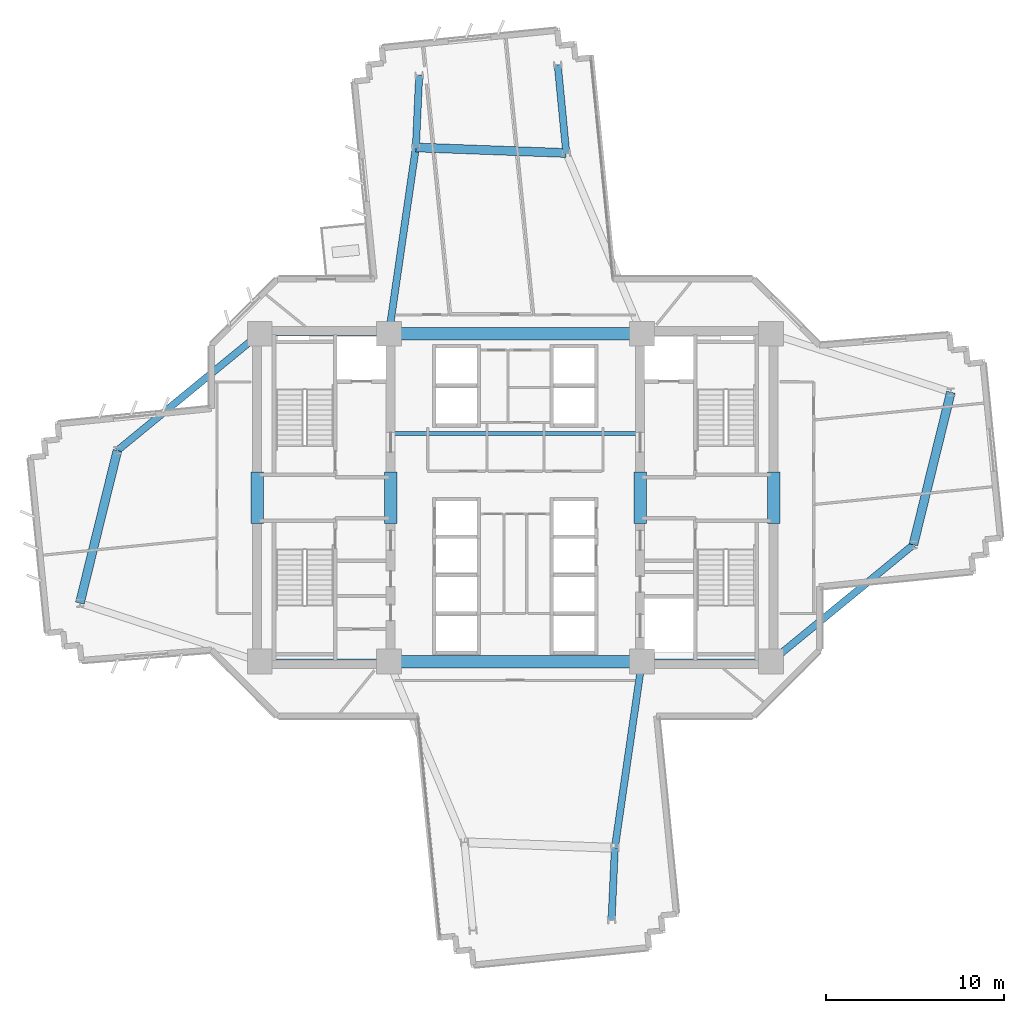
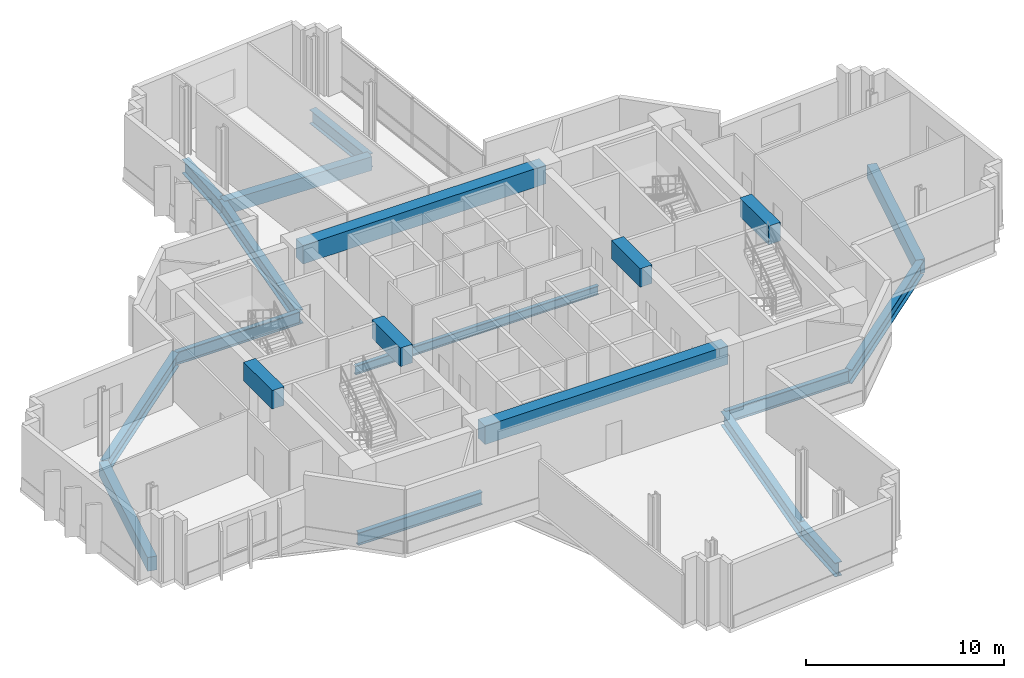
# One storey, part 3 of 14: 20 beams.
"""IFC4 building model written with IfcOpenShell, lengths in metres."""

from ifc_helpers import new_model, si_unit, direction, frame, origin, origin_2d, place, context, subcontext, project, spatial, rectangle, i_section, extrude, source, transform, mapped, material, material_profile, profile_set, type_object, element, save


model = new_model("IFC4")

# Units and contexts
model_context = context("Model", 3, precision=1e-05, world=origin(), true_north=direction((0.0, 1.0)))
body_context = subcontext(model_context, "Body", "Model", "MODEL_VIEW")
ifc_project = project(units=[si_unit("LENGTHUNIT", "METRE"), si_unit("AREAUNIT", "SQUARE_METRE"), si_unit("VOLUMEUNIT", "CUBIC_METRE"), si_unit("PLANEANGLEUNIT", "RADIAN"), si_unit("MASSUNIT", "GRAM", prefix="KILO")], contexts=[model_context])

# Site, building, storey
site_placement = place(None, origin())
site = spatial("IfcSite", under=ifc_project, at=site_placement, CompositionType="ELEMENT")
building_placement = place(site_placement, origin())
building = spatial("IfcBuilding", under=site, at=building_placement, Name="Zahravan Cultural Tower", CompositionType="ELEMENT")
storey_placement = place(building_placement, frame((0.0, 0.0, 92.10009765625)))
storey = spatial("IfcBuildingStorey", under=building, at=storey_placement, Name="L20", CompositionType="ELEMENT", Elevation=92.10009765625)

# Beams
ifc_material_1 = material(Name="Concrete C50/60", Category="concrete")
ifc_material_profile_1 = material_profile(ifc_material_1, rectangle(XDim=0.699951171875, YDim=1.14990234375, at=origin_2d()), Name="RC700X1150")
ifc_profile_set_1 = profile_set([ifc_material_profile_1], Name="Concrete C50/60")
beam_type_1 = type_object("IfcBeamType", Name="BM-LN-RC700X1150", PredefinedType="LINTEL", material=ifc_profile_set_1)
shared_shape_1 = source(origin(), body_context, "Body", "SweptSolid", [
    extrude(rectangle(XDim=0.699951171875, YDim=1.14990234375, at=origin_2d()), origin(), (0.0, 0.0, 1.0), 14.2001953125),
])
for number, where, z_axis, x_axis, name in (
    (1, (28.89990234375, 17.800048828125, 3.375), (1.0, 0.0, 0.0), (0.0, 1.0, 0.0), "L20 Beam LN-L20-S"),
    (2, (28.89990234375, 36.199951171875, 3.375), (1.0, 0.0, 0.0), (0.0, 1.0, 0.0), "L20 Beam LN-L20-N"),
):
    element("IfcBeam", number, at=place(storey_placement, frame(where, z_axis=z_axis, x_axis=x_axis)), inside=storey, type_object=beam_type_1, Name=name, PredefinedType="LINTEL", context=body_context, shape_type="MappedRepresentation", body=[
        mapped(shared_shape_1, transform((0.0, 0.0, 0.0), x_axis=(1.0, 0.0, 0.0), y_axis=(0.0, 1.0, 0.0), z_axis=(0.0, 0.0, 1.0), scale=1.0)),
    ])
shared_shape_2 = source(origin(), body_context, "Body", "SweptSolid", [
    extrude(rectangle(XDim=0.699951171875, YDim=1.14990234375, at=origin_2d()), origin(), (0.0, 0.0, 1.0), 2.89990234375),
])
for number, where, z_axis, x_axis, name in (
    (3, (21.5, 25.550048828125, 3.375), (0.0, 1.0, 0.0), (-1.0, 0.0, 0.0), "L20 Beam LN-L20-PWW"),
    (4, (29.0, 25.550048828125, 3.375), (0.0, 1.0, 0.0), (-1.0, 0.0, 0.0), "L20 Beam LN-L20-PWE"),
    (5, (43.0, 25.550048828125, 3.375), (0.0, 1.0, 0.0), (-1.0, 0.0, 0.0), "L20 Beam LN-L20-PEW"),
    (6, (50.5, 25.550048828125, 3.375), (0.0, 1.0, 0.0), (-1.0, 0.0, 0.0), "L20 Beam LN-L20-PEE"),
):
    element("IfcBeam", number, at=place(storey_placement, frame(where, z_axis=z_axis, x_axis=x_axis)), inside=storey, type_object=beam_type_1, Name=name, PredefinedType="LINTEL", context=body_context, shape_type="MappedRepresentation", body=[
        mapped(shared_shape_2, transform((0.0, 0.0, 0.0), x_axis=(1.0, 0.0, 0.0), y_axis=(0.0, 1.0, 0.0), z_axis=(0.0, 0.0, 1.0), scale=1.0)),
    ])
ifc_material_2 = material(Name="Steel ASTM A992 Grade 50", Category="steel")
ifc_material_profile_2 = material_profile(ifc_material_2, i_section(OverallWidth=0.26611328125, OverallDepth=0.780029296875, WebThickness=0.0166015625, FlangeThickness=0.030029296875, FilletRadius=0.01904296875, at=origin_2d()), Name="W30X148")
ifc_profile_set_2 = profile_set([ifc_material_profile_2], Name="Steel ASTM A992 Grade 50")
beam_type_2 = type_object("IfcBeamType", Name="BM-G-W30X148", PredefinedType="BEAM", material=ifc_profile_set_2)
shared_shape_3 = source(origin(), body_context, "Body", "SweptSolid", [
    extrude(i_section(OverallWidth=0.26611328125, OverallDepth=0.780029296875, WebThickness=0.0166015625, FlangeThickness=0.030029296875, FilletRadius=0.01904296875, at=origin_2d()), origin(), (0.0, 0.0, 1.0), 7.25),
])
for number, where, z_axis, x_axis, name in (
    (7, (21.64990234375, 17.800048828125, -0.64013671875), (1.0, 0.0, 0.0), (0.0, 1.0, 0.0), "L20 Beam BG-L20-01"),
    (8, (21.64990234375, 36.199951171875, -0.64013671875), (1.0, 0.0, 0.0), (0.0, 1.0, 0.0), "L20 Beam BG-L20-02"),
    (9, (43.10009765625, 17.800048828125, -0.64013671875), (1.0, 0.0, 0.0), (0.0, 1.0, 0.0), "L20 Beam BG-L20-04"),
):
    element("IfcBeam", number, at=place(storey_placement, frame(where, z_axis=z_axis, x_axis=x_axis)), inside=storey, type_object=beam_type_2, Name=name, PredefinedType="BEAM", context=body_context, shape_type="MappedRepresentation", body=[
        mapped(shared_shape_3, transform((0.0, 0.0, 0.0), x_axis=(1.0, 0.0, 0.0), y_axis=(0.0, 1.0, 0.0), z_axis=(0.0, 0.0, 1.0), scale=1.0)),
    ])
ifc_material_profile_3 = material_profile(ifc_material_1, rectangle(XDim=0.5, YDim=0.85009765625, at=origin_2d()), Name="RC500X850")
ifc_profile_set_3 = profile_set([ifc_material_profile_3], Name="Concrete C50/60")
beam_type_3 = type_object("IfcBeamType", Name="BM-SP-RC500X850", PredefinedType="SPANDREL", material=ifc_profile_set_3)
shared_shape_4 = source(origin(), body_context, "Body", "SweptSolid", [
    extrude(rectangle(XDim=0.5, YDim=0.85009765625, at=origin_2d()), origin(), (0.0, 0.0, 1.0), 8.4482421875),
])
beam_1_placement = place(storey_placement, frame((38.857421875, 46.346435546875, -0.675048828125), z_axis=(-0.999318826256, 0.036903705643, 0.0), x_axis=(-0.036903705643, -0.999318826256, 0.0)))
element("IfcBeam", 10, at=beam_1_placement, inside=storey, type_object=beam_type_3, Name="L20 Beam SP-L20-21", PredefinedType="SPANDREL", context=body_context, shape_type="MappedRepresentation", body=[
    mapped(shared_shape_4, transform((0.0, 0.0, 0.0), x_axis=(1.0, 0.0, 0.0), y_axis=(0.0, 1.0, 0.0), z_axis=(0.0, 0.0, 1.0), scale=1.0)),
])
shared_shape_5 = source(origin(), body_context, "Body", "SweptSolid", [
    extrude(rectangle(XDim=0.5, YDim=0.85009765625, at=origin_2d()), origin(), (0.0, 0.0, 1.0), 8.8232421875),
])
for number, where, z_axis, x_axis, name in (
    (11, (58.339111328125, 24.351806640625, -0.675048828125), (0.238848860516, 0.971056755206, 0.0), (-0.971056755206, 0.238848860516, 0.0), "L20 Beam SP-L20-20"),
    (12, (13.660888671875, 29.648193359375, -0.675048828125), (-0.238848860516, -0.971056755206, 0.0), (0.971056755206, -0.238848860516, 0.0), "L20 Beam SP-L20-22"),
):
    element("IfcBeam", number, at=place(storey_placement, frame(where, z_axis=z_axis, x_axis=x_axis)), inside=storey, type_object=beam_type_3, Name=name, PredefinedType="SPANDREL", context=body_context, shape_type="MappedRepresentation", body=[
        mapped(shared_shape_5, transform((0.0, 0.0, 0.0), x_axis=(1.0, 0.0, 0.0), y_axis=(0.0, 1.0, 0.0), z_axis=(0.0, 0.0, 1.0), scale=1.0)),
    ])
ifc_material_profile_4 = material_profile(ifc_material_2, i_section(OverallWidth=0.39990234375, OverallDepth=0.862060546875, WebThickness=0.019775390625, FlangeThickness=0.032470703125, FilletRadius=0.02001953125, at=origin_2d()), Name="W33X221")
ifc_profile_set_4 = profile_set([ifc_material_profile_4], Name="Steel ASTM A992 Grade 50")
beam_type_4 = type_object("IfcBeamType", Name="BM-G-W33X221", PredefinedType="BEAM", material=ifc_profile_set_4)
shared_shape_6 = source(origin(), body_context, "Body", "SweptSolid", [
    extrude(i_section(OverallWidth=0.39990234375, OverallDepth=0.862060546875, WebThickness=0.019775390625, FlangeThickness=0.032470703125, FilletRadius=0.02001953125, at=origin_2d()), origin(), (0.0, 0.0, 1.0), 10.5673828125),
])
for number, where, z_axis, x_axis, name in (
    (13, (43.10009765625, 17.800048828125, -0.68115234375), (-0.143377913539, -0.989668011966, 0.0), (0.989668011966, -0.143377913539, 0.0), "L20 Beam BG-L20-09"),
    (14, (28.89990234375, 36.199951171875, -0.68115234375), (0.143377913539, 0.989668011966, 0.0), (-0.989668011966, 0.143377913539, 0.0), "L20 Beam BG-L20-13"),
):
    element("IfcBeam", number, at=place(storey_placement, frame(where, z_axis=z_axis, x_axis=x_axis)), inside=storey, type_object=beam_type_4, Name=name, PredefinedType="BEAM", context=body_context, shape_type="MappedRepresentation", body=[
        mapped(shared_shape_6, transform((0.0, 0.0, 0.0), x_axis=(1.0, 0.0, 0.0), y_axis=(0.0, 1.0, 0.0), z_axis=(0.0, 0.0, 1.0), scale=1.0)),
    ])
shared_shape_7 = source(origin(), body_context, "Body", "SweptSolid", [
    extrude(i_section(OverallWidth=0.39990234375, OverallDepth=0.862060546875, WebThickness=0.019775390625, FlangeThickness=0.032470703125, FilletRadius=0.02001953125, at=origin_2d()), origin(), (0.0, 0.0, 1.0), 10.33203125),
])
for number, where, z_axis, x_axis, name in (
    (15, (50.35009765625, 17.800048828125, -0.68115234375), (0.773231409473, 0.634123952713, 0.0), (-0.634123952713, 0.773231409473, 0.0), "L20 Beam BG-L20-10"),
    (16, (21.64990234375, 36.199951171875, -0.68115234375), (-0.773231409473, -0.634123952713, 0.0), (0.634123952713, -0.773231409473, 0.0), "L20 Beam BG-L20-14"),
):
    element("IfcBeam", number, at=place(storey_placement, frame(where, z_axis=z_axis, x_axis=x_axis)), inside=storey, type_object=beam_type_4, Name=name, PredefinedType="BEAM", context=body_context, shape_type="MappedRepresentation", body=[
        mapped(shared_shape_7, transform((0.0, 0.0, 0.0), x_axis=(1.0, 0.0, 0.0), y_axis=(0.0, 1.0, 0.0), z_axis=(0.0, 0.0, 1.0), scale=1.0)),
    ])
shared_shape_8 = source(origin(), body_context, "Body", "SweptSolid", [
    extrude(i_section(OverallWidth=0.39990234375, OverallDepth=0.862060546875, WebThickness=0.019775390625, FlangeThickness=0.032470703125, FilletRadius=0.02001953125, at=origin_2d()), origin(), (0.0, 0.0, 1.0), 4.973876953125),
])
beam_2_placement = place(storey_placement, frame((38.857421875, 46.346435546875, -0.68115234375), z_axis=(-0.096154779131, 0.995366394073, 0.0), x_axis=(-0.995366394073, -0.096154779131, 0.0)))
element("IfcBeam", 17, at=beam_2_placement, inside=storey, type_object=beam_type_4, Name="L20 Beam BG-L20-15", PredefinedType="BEAM", context=body_context, shape_type="MappedRepresentation", body=[
    mapped(shared_shape_8, transform((0.0, 0.0, 0.0), x_axis=(1.0, 0.0, 0.0), y_axis=(0.0, 1.0, 0.0), z_axis=(0.0, 0.0, 1.0), scale=1.0)),
])
shared_shape_9 = source(origin(), body_context, "Body", "SweptSolid", [
    extrude(i_section(OverallWidth=0.39990234375, OverallDepth=0.862060546875, WebThickness=0.019775390625, FlangeThickness=0.032470703125, FilletRadius=0.02001953125, at=origin_2d()), origin(), (0.0, 0.0, 1.0), 4.0537109375),
])
for number, where, z_axis, x_axis, name in (
    (18, (30.4150390625, 46.658203125, -0.68115234375), (0.045770994677, 0.998951958828, 0.0), (-0.998951958828, 0.045770994677, 0.0), "L20 Beam BG-L20-16"),
    (19, (41.5849609375, 7.341796875, -0.68115234375), (-0.045770994677, -0.998951958828, 0.0), (0.998951958828, -0.045770994677, 0.0), "L20 Beam BG-L20-18"),
):
    element("IfcBeam", number, at=place(storey_placement, frame(where, z_axis=z_axis, x_axis=x_axis)), inside=storey, type_object=beam_type_4, Name=name, PredefinedType="BEAM", context=body_context, shape_type="MappedRepresentation", body=[
        mapped(shared_shape_9, transform((0.0, 0.0, 0.0), x_axis=(1.0, 0.0, 0.0), y_axis=(0.0, 1.0, 0.0), z_axis=(0.0, 0.0, 1.0), scale=1.0)),
    ])
ifc_material_profile_5 = material_profile(ifc_material_2, i_section(OverallWidth=0.214111328125, OverallDepth=0.549072265625, WebThickness=0.0146484375, FlangeThickness=0.023681640625, FilletRadius=0.013916015625, at=origin_2d()), Name="W21X93")
ifc_profile_set_5 = profile_set([ifc_material_profile_5], Name="Steel ASTM A992 Grade 50")
beam_type_5 = type_object("IfcBeamType", Name="BM-J-W21X93", PredefinedType="JOIST", material=ifc_profile_set_5)
shared_shape_10 = source(origin(), body_context, "Body", "SweptSolid", [
    extrude(i_section(OverallWidth=0.214111328125, OverallDepth=0.549072265625, WebThickness=0.0146484375, FlangeThickness=0.023681640625, FilletRadius=0.013916015625, at=origin_2d()), origin(), (0.0, 0.0, 1.0), 14.2001953125),
])
beam_3_placement = place(storey_placement, frame((28.89990234375, 30.60009765625, -0.524658203125), z_axis=(1.0, 0.0, 0.0), x_axis=(0.0, 1.0, 0.0)))
element("IfcBeam", 20, at=beam_3_placement, inside=storey, type_object=beam_type_5, Name="L20 Beam BJ-L20-23", PredefinedType="JOIST", context=body_context, shape_type="MappedRepresentation", body=[
    mapped(shared_shape_10, transform((0.0, 0.0, 0.0), x_axis=(1.0, 0.0, 0.0), y_axis=(0.0, 1.0, 0.0), z_axis=(0.0, 0.0, 1.0), scale=1.0)),
])

save(model, "model.ifc")
